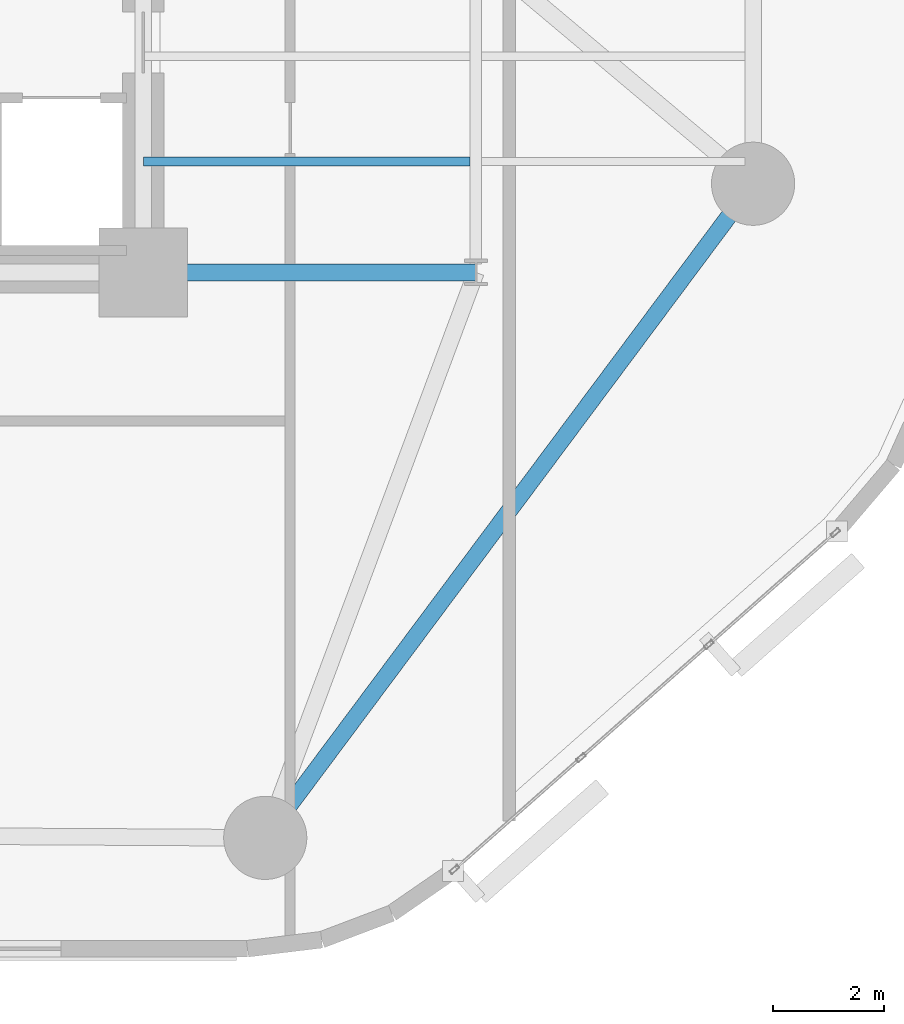
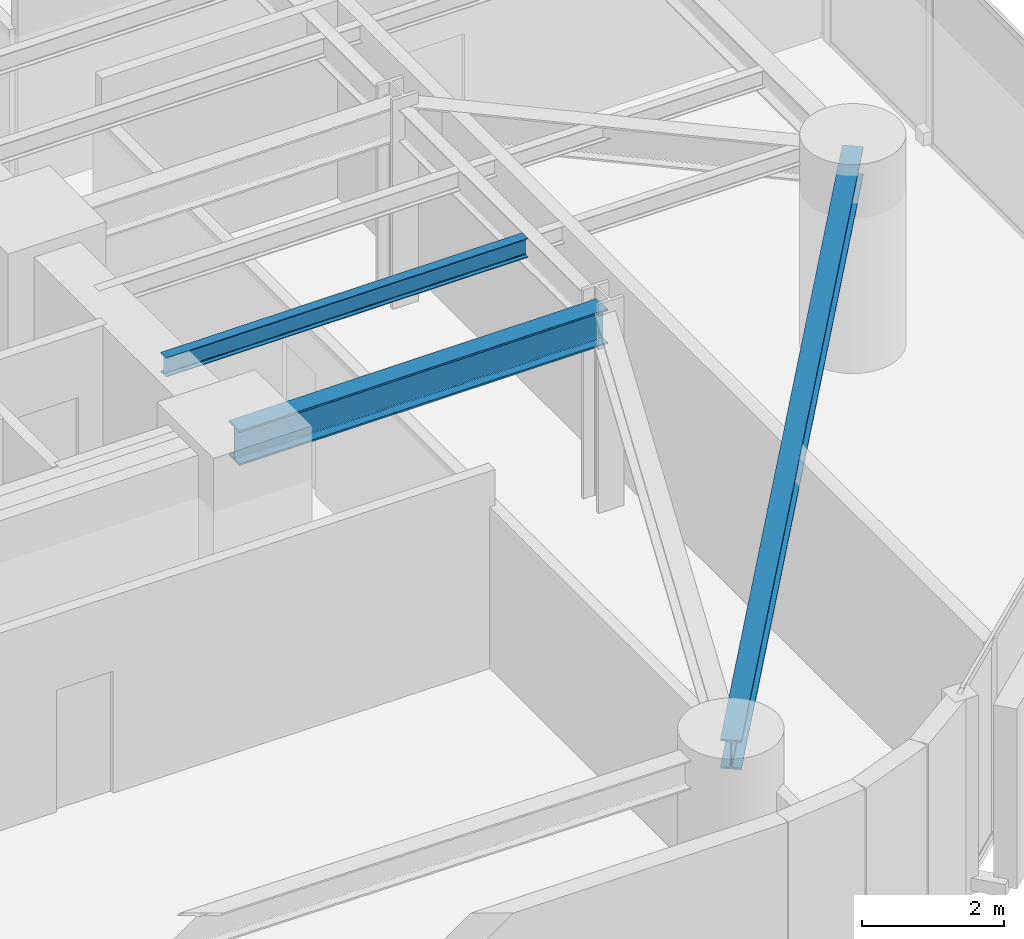
# One storey, part 3 of 17: 3 beams.
"""IFC4 building model written with IfcOpenShell, lengths in metres."""

from ifc_helpers import new_model, si_unit, direction, frame, origin, origin_2d, place, context, subcontext, project, spatial, i_section, extrude, material, material_profile, profile_set, type_object, element, save


model = new_model("IFC4")

# Units and contexts
model_context = context("Model", 3, precision=1e-05, world=origin(), true_north=direction((0.0, 1.0)))
body_context = subcontext(model_context, "Body", "Model", "MODEL_VIEW")
ifc_project = project(units=[si_unit("LENGTHUNIT", "METRE"), si_unit("AREAUNIT", "SQUARE_METRE"), si_unit("VOLUMEUNIT", "CUBIC_METRE"), si_unit("PLANEANGLEUNIT", "RADIAN"), si_unit("MASSUNIT", "GRAM", prefix="KILO")], contexts=[model_context])

# Site, building, storey
site_placement = place(None, origin())
site = spatial("IfcSite", under=ifc_project, at=site_placement, CompositionType="ELEMENT")
building_placement = place(site_placement, origin())
building = spatial("IfcBuilding", under=site, at=building_placement, Name="An Khanh Terracotta Commons", CompositionType="ELEMENT")
storey_placement = place(building_placement, frame((0.0, 0.0, 32.39990234375)))
storey = spatial("IfcBuildingStorey", under=building, at=storey_placement, Name="L08", CompositionType="ELEMENT", Elevation=32.39990234375)

# Beams
ifc_material = material(Name="Steel S355J2", Category="steel")
ifc_material_profile_1 = material_profile(ifc_material, i_section(OverallWidth=0.300048828125, OverallDepth=0.5, WebThickness=0.014404296875, FlangeThickness=0.028076171875, FilletRadius=0.027099609375, at=origin_2d()), Name="HEB500")
ifc_profile_set_1 = profile_set([ifc_material_profile_1], Name="Steel S355J2")
beam_type_1 = type_object("IfcBeamType", Name="BM-HEB500", PredefinedType="BEAM", material=ifc_profile_set_1)
beam_1_placement = place(storey_placement, frame((39.39990234375, 4.199951171875, 3.150146484375), z_axis=(0.59782442166, 0.801627070942, 0.0), x_axis=(-0.801627070942, 0.59782442166, 0.0)))
element("IfcBeam", 1, at=beam_1_placement, inside=storey, type_object=beam_type_1, Name="L08 Perimeter Ring Spandrel 2", PredefinedType="BEAM", context=body_context, shape_type="SweptSolid", body=[
    extrude(i_section(OverallWidth=0.300048828125, OverallDepth=0.5, WebThickness=0.014404296875, FlangeThickness=0.028076171875, FilletRadius=0.027099609375, at=origin_2d()), origin(), (0.0, 0.0, 1.0), 14.72021484375),
])
ifc_material_profile_2 = material_profile(ifc_material, i_section(OverallWidth=0.300048828125, OverallDepth=0.60009765625, WebThickness=0.015380859375, FlangeThickness=0.030029296875, FilletRadius=0.027099609375, at=origin_2d()), Name="HEB600")
ifc_profile_set_2 = profile_set([ifc_material_profile_2], Name="Steel S355J2")
beam_type_2 = type_object("IfcBeamType", Name="BM-HEB600", PredefinedType="BEAM", material=ifc_profile_set_2)
beam_2_placement = place(storey_placement, frame((37.199951171875, 14.39990234375, 3.10009765625), z_axis=(1.0, 0.0, 0.0), x_axis=(0.0, 1.0, 0.0)))
element("IfcBeam", 2, at=beam_2_placement, inside=storey, type_object=beam_type_2, Name="L08 East Primary Floor Girder 1", PredefinedType="BEAM", context=body_context, shape_type="SweptSolid", body=[
    extrude(i_section(OverallWidth=0.300048828125, OverallDepth=0.60009765625, WebThickness=0.015380859375, FlangeThickness=0.030029296875, FilletRadius=0.027099609375, at=origin_2d()), origin(), (0.0, 0.0, 1.0), 6.0),
])
ifc_material_profile_3 = material_profile(ifc_material, i_section(OverallWidth=0.159912109375, OverallDepth=0.330078125, WebThickness=0.007568359375, FlangeThickness=0.011474609375, FilletRadius=0.01806640625, at=origin_2d()), Name="IPE330")
ifc_profile_set_3 = profile_set([ifc_material_profile_3], Name="Steel S355J2")
beam_type_3 = type_object("IfcBeamType", Name="BM-IPE330", PredefinedType="JOIST", material=ifc_profile_set_3)
beam_3_placement = place(storey_placement, frame((37.199951171875, 16.39990234375, 3.235107421875), z_axis=(1.0, 0.0, 0.0), x_axis=(0.0, 1.0, 0.0)))
element("IfcBeam", 3, at=beam_3_placement, inside=storey, type_object=beam_type_3, Name="L08 Inboard Composite Joist 1", PredefinedType="JOIST", context=body_context, shape_type="SweptSolid", body=[
    extrude(i_section(OverallWidth=0.159912109375, OverallDepth=0.330078125, WebThickness=0.007568359375, FlangeThickness=0.011474609375, FilletRadius=0.01806640625, at=origin_2d()), origin(), (0.0, 0.0, 1.0), 5.89501953125),
])

save(model, "model.ifc")
